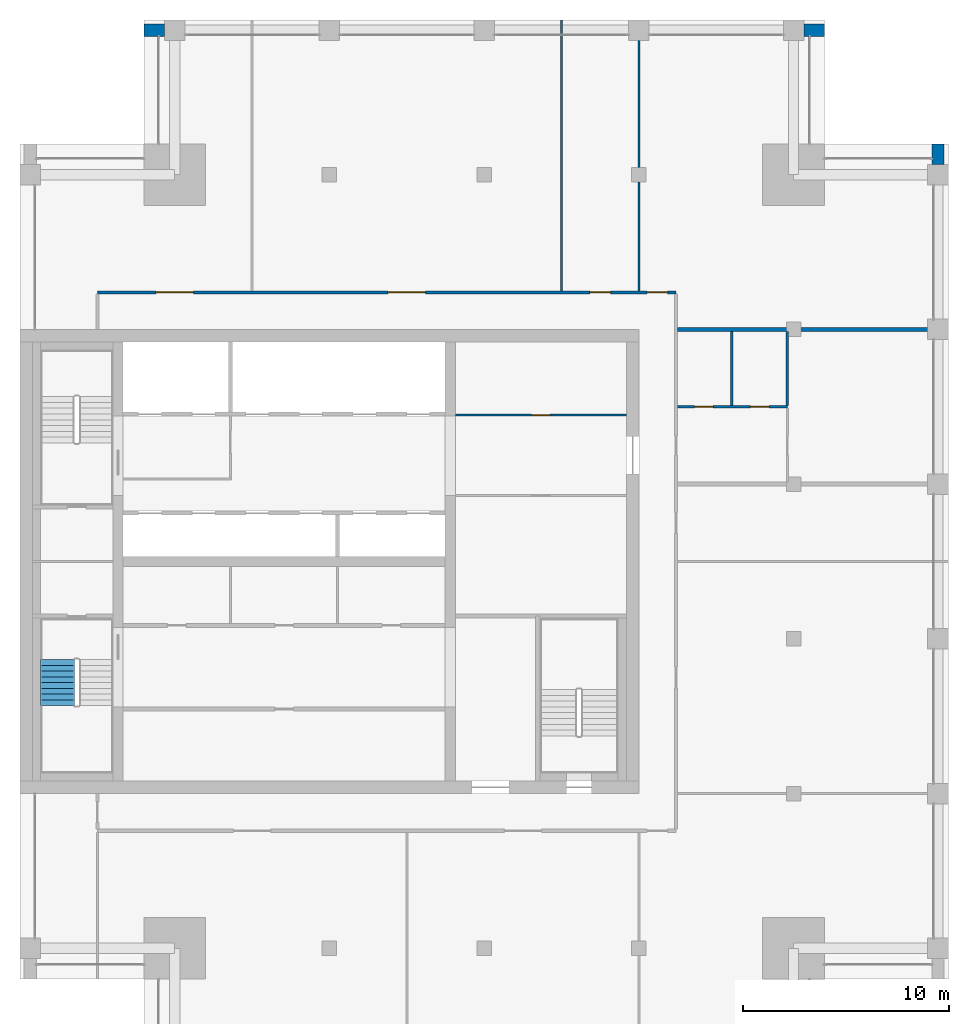
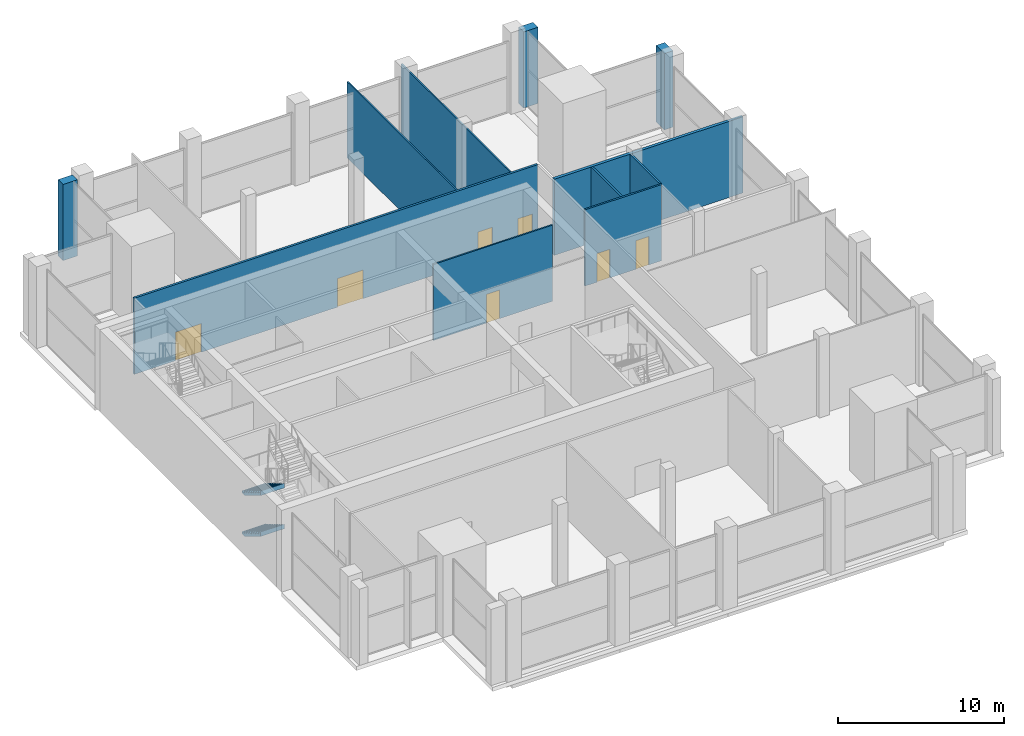
# One storey, part 10 of 15: 11 walls, 7 doors, 2 stair flights, 7 openings, 1 element without a shape of its own.
"""IFC4 building model written with IfcOpenShell, lengths in metres."""

from ifc_helpers import new_model, si_unit, direction, frame, frame_2d, origin, place, context, subcontext, project, spatial, polyline, rectangle, outline, extrude, material, layer, layer_set, type_object, element, fill, aggregate, save


model = new_model("IFC4")

# Units and contexts
model_context = context("Model", 3, precision=1e-05, world=origin(), true_north=direction((0.0, 1.0)))
body_context = subcontext(model_context, "Body", "Model", "MODEL_VIEW")
ifc_project = project(units=[si_unit("LENGTHUNIT", "METRE"), si_unit("AREAUNIT", "SQUARE_METRE"), si_unit("VOLUMEUNIT", "CUBIC_METRE"), si_unit("PLANEANGLEUNIT", "RADIAN"), si_unit("MASSUNIT", "GRAM", prefix="KILO")], contexts=[model_context])

# Site, building, storey
site_placement = place(None, origin())
site = spatial("IfcSite", under=ifc_project, at=site_placement, CompositionType="ELEMENT")
building_placement = place(site_placement, origin())
building = spatial("IfcBuilding", under=site, at=building_placement, Name="Tamorin Gate", CompositionType="ELEMENT")
storey_placement = place(building_placement, frame((0.0, 0.0, 308.699951171875)))
storey = spatial("IfcBuildingStorey", under=building, at=storey_placement, Name="L76", CompositionType="ELEMENT", Elevation=308.699951171875)

# Walls
ifc_material_1 = material(Name="Precast concrete C40/50", Category="concrete")
ifc_layer_1 = layer(ifc_material_1, 0.60009765625)
ifc_layer_set_1 = layer_set([ifc_layer_1], Name="Precast concrete C40/50")
wall_type_1 = type_object("IfcWallType", Name="Board-marked concrete facade panel 600", PredefinedType="SOLIDWALL", material=ifc_layer_set_1)
for number, where, z_axis, x_axis, name in (
    (1, (74.5, 90.5, 0.0), (0.0, 0.0, 1.0), (0.0, 1.0, 0.0), "Facade panel"),
    (2, (69.0, 97.0, 0.0), (0.0, 0.0, 1.0), (-1.0, 0.0, 0.0), "Facade panel"),
    (3, (37.0, 97.0, 0.0), (0.0, 0.0, 1.0), (-1.0, 0.0, 0.0), "Facade panel"),
):
    element("IfcWall", number, at=place(storey_placement, frame(where, z_axis=z_axis, x_axis=x_axis)), inside=storey, type_object=wall_type_1, Name=name, PredefinedType="SOLIDWALL", context=body_context, shape_type="SweptSolid", body=[
        extrude(rectangle(XDim=1.0, YDim=0.60009765625, at=frame_2d((0.5, 0.0))), origin(), (0.0, 0.0, 1.0), 5.60009765625),
    ])

# Wall, openings, doors
ifc_material_2 = material(Name="Gypsum board partition")
ifc_layer_2 = layer(ifc_material_2, 0.14990234375)
ifc_layer_set_2 = layer_set([ifc_layer_2], Name="Corridor wall 150")
wall_type_2 = type_object("IfcWallType", Name="Corridor wall 150", PredefinedType="PARTITIONING", material=ifc_layer_set_2)
wall_1_placement = place(storey_placement, frame((33.75, 84.300048828125, 0.0), z_axis=(0.0, 0.0, 1.0), x_axis=(1.0, 0.0, 0.0)))
wall_1 = element("IfcWall", 4, at=wall_1_placement, inside=storey, type_object=wall_type_2, Name="Corridor wall 150", PredefinedType="PARTITIONING", context=body_context, shape_type="SweptSolid", body=[
    extrude(rectangle(XDim=28.050048828125, YDim=0.14990234375, at=frame_2d((14.02490234375, 0.0))), origin(), (0.0, 0.0, 1.0), 5.60009765625),
])
opening_1_placement = place(wall_1_placement, frame((2.85009765625, 0.0, 0.0)))
opening_1 = element("IfcOpeningElement", 5, at=opening_1_placement, cuts=wall_1, Name="Opening DOB2005", PredefinedType="OPENING", context=body_context, shape_type="SweptSolid", body=[
    extrude(rectangle(XDim=1.800048828125, YDim=2.10009765625, at=frame_2d((0.89990234375, 1.050048828125))), frame((0.0, 0.0849609375, 0.0), z_axis=(0.0, -1.0, 0.0), x_axis=(1.0, 0.0, 0.0)), (0.0, 0.0, 1.0), 0.169921875),
])
opening_2_placement = place(wall_1_placement, frame((14.10009765625, 0.0, 0.0)))
opening_2 = element("IfcOpeningElement", 6, at=opening_2_placement, cuts=wall_1, Name="Opening DOB2006", PredefinedType="OPENING", context=body_context, shape_type="SweptSolid", body=[
    extrude(rectangle(XDim=1.800048828125, YDim=2.10009765625, at=frame_2d((0.89990234375, 1.050048828125))), frame((0.0, 0.0849609375, 0.0), z_axis=(0.0, -1.0, 0.0), x_axis=(1.0, 0.0, 0.0)), (0.0, 0.0, 1.0), 0.169921875),
])
opening_3_placement = place(wall_1_placement, frame((23.875, 0.0, 0.0)))
opening_3 = element("IfcOpeningElement", 7, at=opening_3_placement, cuts=wall_1, Name="Opening DOB2007", PredefinedType="OPENING", context=body_context, shape_type="SweptSolid", body=[
    extrude(rectangle(XDim=1.0, YDim=2.10009765625, at=frame_2d((0.5, 1.050048828125))), frame((0.0, 0.0849609375, 0.0), z_axis=(0.0, -1.0, 0.0), x_axis=(1.0, 0.0, 0.0)), (0.0, 0.0, 1.0), 0.169921875),
])
opening_4_placement = place(wall_1_placement, frame((26.64990234375, 0.0, 0.0)))
opening_4 = element("IfcOpeningElement", 8, at=opening_4_placement, cuts=wall_1, Name="Opening DOB2008", PredefinedType="OPENING", context=body_context, shape_type="SweptSolid", body=[
    extrude(rectangle(XDim=1.0, YDim=2.10009765625, at=frame_2d((0.5, 1.050048828125))), frame((0.0, 0.0849609375, 0.0), z_axis=(0.0, -1.0, 0.0), x_axis=(1.0, 0.0, 0.0)), (0.0, 0.0, 1.0), 0.169921875),
])
ifc_material_3 = material(Name="Timber door leaf", Category="wood")
door_type_1 = type_object("IfcDoorType", Name="Door 1000 x 2100 FD30S", OperationType="NOTDEFINED", PredefinedType="DOOR", material=ifc_material_3)
door_1_placement = place(opening_3_placement, origin())
door_1 = element("IfcDoor", 9, at=door_1_placement, inside=storey, type_object=door_type_1, Name="Door DOB2007", OperationType="SINGLE_SWING_LEFT", OverallHeight=2.10009765625, OverallWidth=1.0, PredefinedType="DOOR", context=body_context, shape_type="SweptSolid", body=[
    extrude(rectangle(XDim=1.0, YDim=2.10009765625, at=frame_2d((0.5, 1.050048828125))), frame((0.0, 0.02490234375, 0.0), z_axis=(0.0, -1.0, 0.0), x_axis=(1.0, 0.0, 0.0)), (0.0, 0.0, 1.0), 0.050048828125),
])
fill(opening_3, door_1)
door_2_placement = place(opening_4_placement, origin())
door_2 = element("IfcDoor", 10, at=door_2_placement, inside=storey, type_object=door_type_1, Name="Door DOB2008", OperationType="SINGLE_SWING_LEFT", OverallHeight=2.10009765625, OverallWidth=1.0, PredefinedType="DOOR", context=body_context, shape_type="SweptSolid", body=[
    extrude(rectangle(XDim=1.0, YDim=2.10009765625, at=frame_2d((0.5, 1.050048828125))), frame((0.0, 0.02490234375, 0.0), z_axis=(0.0, -1.0, 0.0), x_axis=(1.0, 0.0, 0.0)), (0.0, 0.0, 1.0), 0.050048828125),
])
fill(opening_4, door_2)
door_type_2 = type_object("IfcDoorType", Name="Door 1800 x 2100 FD30S", OperationType="DOUBLE_DOOR_SINGLE_SWING", PredefinedType="DOOR", material=ifc_material_3)
door_3_placement = place(opening_1_placement, origin())
door_3 = element("IfcDoor", 11, at=door_3_placement, inside=storey, type_object=door_type_2, Name="Door DOB2005", OperationType="DOUBLE_DOOR_SINGLE_SWING", OverallHeight=2.10009765625, OverallWidth=1.800048828125, PredefinedType="DOOR", context=body_context, shape_type="SweptSolid", body=[
    extrude(rectangle(XDim=1.800048828125, YDim=2.10009765625, at=frame_2d((0.89990234375, 1.050048828125))), frame((0.0, 0.02490234375, 0.0), z_axis=(0.0, -1.0, 0.0), x_axis=(1.0, 0.0, 0.0)), (0.0, 0.0, 1.0), 0.050048828125),
])
fill(opening_1, door_3)
door_4_placement = place(opening_2_placement, origin())
door_4 = element("IfcDoor", 12, at=door_4_placement, inside=storey, type_object=door_type_2, Name="Door DOB2006", OperationType="DOUBLE_DOOR_SINGLE_SWING", OverallHeight=2.10009765625, OverallWidth=1.800048828125, PredefinedType="DOOR", context=body_context, shape_type="SweptSolid", body=[
    extrude(rectangle(XDim=1.800048828125, YDim=2.10009765625, at=frame_2d((0.89990234375, 1.050048828125))), frame((0.0, 0.02490234375, 0.0), z_axis=(0.0, -1.0, 0.0), x_axis=(1.0, 0.0, 0.0)), (0.0, 0.0, 1.0), 0.050048828125),
])
fill(opening_2, door_4)

# Walls
ifc_layer_3 = layer(ifc_material_2, 0.199951171875)
ifc_layer_set_3 = layer_set([ifc_layer_3], Name="Demising wall 200")
wall_type_3 = type_object("IfcWallType", Name="Demising wall 200", PredefinedType="PARTITIONING", material=ifc_layer_set_3)
wall_2_placement = place(storey_placement, frame((61.875, 82.5, 0.0), z_axis=(0.0, 0.0, 1.0), x_axis=(1.0, 0.0, 0.0)))
element("IfcWall", 13, at=wall_2_placement, inside=storey, type_object=wall_type_3, Name="Demising wall 200", PredefinedType="PARTITIONING", context=body_context, shape_type="SweptSolid", body=[
    extrude(rectangle(XDim=13.125, YDim=0.199951171875, at=frame_2d((6.5625, 0.0))), origin(), (0.0, 0.0, 1.0), 5.60009765625),
])
ifc_layer_4 = layer(ifc_material_2, 0.10009765625)
ifc_layer_set_4 = layer_set([ifc_layer_4], Name="Room partition 100")
wall_type_4 = type_object("IfcWallType", Name="Room partition 100", PredefinedType="PARTITIONING", material=ifc_layer_set_4)
for number, where, z_axis, x_axis, name in (
    (14, (56.25, 84.375, 0.0), (0.0, 0.0, 1.0), (0.0, 1.0, 0.0), "Room partition 100"),
    (15, (60.0, 84.375, 0.0), (0.0, 0.0, 1.0), (0.0, 1.0, 0.0), "Room partition 100"),
):
    element("IfcWall", number, at=place(storey_placement, frame(where, z_axis=z_axis, x_axis=x_axis)), inside=storey, type_object=wall_type_4, Name=name, PredefinedType="PARTITIONING", context=body_context, shape_type="SweptSolid", body=[
        extrude(rectangle(XDim=13.125, YDim=0.10009765625, at=frame_2d((6.5625, 0.0))), origin(), (0.0, 0.0, 1.0), 5.60009765625),
    ])

# Wall, opening, door
ifc_layer_5 = layer(ifc_material_2, 0.10009765625)
ifc_layer_set_5 = layer_set([ifc_layer_5], Name="Service room partition 100 EI 60")
wall_type_5 = type_object("IfcWallType", Name="Service room partition 100 EI 60", PredefinedType="PARTITIONING", material=ifc_layer_set_5)
wall_3_placement = place(storey_placement, frame((51.10009765625, 78.35009765625, 0.0), z_axis=(0.0, 0.0, 1.0), x_axis=(1.0, 0.0, 0.0)))
wall_3 = element("IfcWall", 16, at=wall_3_placement, inside=storey, type_object=wall_type_5, Name="Service room wall", PredefinedType="PARTITIONING", context=body_context, shape_type="SweptSolid", body=[
    extrude(rectangle(XDim=8.2998046875, YDim=0.10009765625, at=frame_2d((4.14990234375, 0.0))), origin(), (0.0, 0.0, 1.0), 5.590087890625),
])
opening_5_placement = place(wall_3_placement, frame((3.699951171875, 0.0, 0.0)))
opening_5 = element("IfcOpeningElement", 17, at=opening_5_placement, cuts=wall_3, Name="Opening DK1", PredefinedType="OPENING", context=body_context, shape_type="SweptSolid", body=[
    extrude(rectangle(XDim=0.89990234375, YDim=2.10009765625, at=frame_2d((0.449951171875, 1.050048828125))), frame((0.0, 0.06005859375, 0.0), z_axis=(0.0, -1.0, 0.0), x_axis=(1.0, 0.0, 0.0)), (0.0, 0.0, 1.0), 0.1201171875),
])
ifc_material_4 = material(Name="Timber fire door", Category="wood")
door_type_3 = type_object("IfcDoorType", Name="Service room door 900 x 2100 EI 60", OperationType="SINGLE_SWING_LEFT", PredefinedType="DOOR", material=ifc_material_4)
door_5_placement = place(opening_5_placement, origin())
door_5 = element("IfcDoor", 18, at=door_5_placement, inside=storey, type_object=door_type_3, Name="Door Pantry", OperationType="SINGLE_SWING_RIGHT", OverallHeight=2.10009765625, OverallWidth=0.89990234375, PredefinedType="DOOR", context=body_context, shape_type="SweptSolid", body=[
    extrude(rectangle(XDim=0.89990234375, YDim=2.10009765625, at=frame_2d((0.449951171875, 1.050048828125))), frame((0.0, 0.02490234375, 0.0), z_axis=(0.0, -1.0, 0.0), x_axis=(1.0, 0.0, 0.0)), (0.0, 0.0, 1.0), 0.050048828125),
])
fill(opening_5, door_5)

# Wall, openings, doors
ifc_layer_6 = layer(ifc_material_2, 0.125)
ifc_layer_set_6 = layer_set([ifc_layer_6], Name="Wet wall 125")
wall_type_6 = type_object("IfcWallType", Name="Wet wall 125", PredefinedType="PARTITIONING", material=ifc_layer_set_6)
wall_4_placement = place(storey_placement, frame((61.875, 78.75, 0.0), z_axis=(0.0, 0.0, 1.0), x_axis=(1.0, 0.0, 0.0)))
wall_4 = element("IfcWall", 19, at=wall_4_placement, inside=storey, type_object=wall_type_6, Name="Wet wall 125", PredefinedType="PARTITIONING", context=body_context, shape_type="SweptSolid", body=[
    extrude(rectangle(XDim=5.324951171875, YDim=0.125, at=frame_2d((2.66259765625, 0.0))), origin(), (0.0, 0.0, 1.0), 5.60009765625),
])
opening_6_placement = place(wall_4_placement, frame((3.52490234375, 0.0, 0.0)))
opening_6 = element("IfcOpeningElement", 20, at=opening_6_placement, cuts=wall_4, Name="Opening DOB2013", PredefinedType="OPENING", context=body_context, shape_type="SweptSolid", body=[
    extrude(rectangle(XDim=0.89990234375, YDim=2.10009765625, at=frame_2d((0.449951171875, 1.050048828125))), frame((0.0, 0.072509765625, 0.0), z_axis=(0.0, -1.0, 0.0), x_axis=(1.0, 0.0, 0.0)), (0.0, 0.0, 1.0), 0.14501953125),
])
opening_7_placement = place(wall_4_placement, frame((0.824951171875, 0.0, 0.0)))
opening_7 = element("IfcOpeningElement", 21, at=opening_7_placement, cuts=wall_4, Name="Opening DOB2014", PredefinedType="OPENING", context=body_context, shape_type="SweptSolid", body=[
    extrude(rectangle(XDim=0.89990234375, YDim=2.10009765625, at=frame_2d((0.449951171875, 1.050048828125))), frame((0.0, 0.072509765625, 0.0), z_axis=(0.0, -1.0, 0.0), x_axis=(1.0, 0.0, 0.0)), (0.0, 0.0, 1.0), 0.14501953125),
])
door_type_4 = type_object("IfcDoorType", Name="Door 900 x 2100", OperationType="NOTDEFINED", PredefinedType="DOOR", material=ifc_material_3)
door_6_placement = place(opening_6_placement, origin())
door_6 = element("IfcDoor", 22, at=door_6_placement, inside=storey, type_object=door_type_4, Name="Door DOB2013", OperationType="SINGLE_SWING_LEFT", OverallHeight=2.10009765625, OverallWidth=0.89990234375, PredefinedType="DOOR", context=body_context, shape_type="SweptSolid", body=[
    extrude(rectangle(XDim=0.89990234375, YDim=2.10009765625, at=frame_2d((0.449951171875, 1.050048828125))), frame((0.0, 0.02490234375, 0.0), z_axis=(0.0, -1.0, 0.0), x_axis=(1.0, 0.0, 0.0)), (0.0, 0.0, 1.0), 0.050048828125),
])
fill(opening_6, door_6)
door_7_placement = place(opening_7_placement, origin())
door_7 = element("IfcDoor", 23, at=door_7_placement, inside=storey, type_object=door_type_4, Name="Door DOB2014", OperationType="SINGLE_SWING_LEFT", OverallHeight=2.10009765625, OverallWidth=0.89990234375, PredefinedType="DOOR", context=body_context, shape_type="SweptSolid", body=[
    extrude(rectangle(XDim=0.89990234375, YDim=2.10009765625, at=frame_2d((0.449951171875, 1.050048828125))), frame((0.0, 0.02490234375, 0.0), z_axis=(0.0, -1.0, 0.0), x_axis=(1.0, 0.0, 0.0)), (0.0, 0.0, 1.0), 0.050048828125),
])
fill(opening_7, door_7)

# Walls
for number, where, z_axis, x_axis, name in (
    (24, (64.5, 78.8125, 0.0), (0.0, 0.0, 1.0), (0.0, 1.0, 0.0), "Wet wall 125"),
    (25, (67.199951171875, 78.8125, 0.0), (0.0, 0.0, 1.0), (0.0, 1.0, 0.0), "Wet wall 125"),
):
    element("IfcWall", number, at=place(storey_placement, frame(where, z_axis=z_axis, x_axis=x_axis)), inside=storey, type_object=wall_type_6, Name=name, PredefinedType="PARTITIONING", context=body_context, shape_type="SweptSolid", body=[
        extrude(rectangle(XDim=3.58740234375, YDim=0.125, at=frame_2d((1.793701171875, 0.0))), origin(), (0.0, 0.0, 1.0), 5.60009765625),
    ])

# Stair, stair flights
ifc_material_5 = material(Name="Concrete C40/50", Category="concrete")
stair_type = type_object("IfcStairType", Name="Exit stair", PredefinedType="HALF_TURN_STAIR", material=ifc_material_5)
stair_placement = place(storey_placement, origin())
stair = element("IfcStair", 26, at=stair_placement, inside=storey, type_object=stair_type, Name="L76 stair ST1", PredefinedType="HALF_TURN_STAIR")
stair_flight_type = type_object("IfcStairFlightType", Name="Exit stair flight", PredefinedType="STRAIGHT", material=ifc_material_5)
stair_flight_1_placement = place(storey_placement, frame((31.824951171875, 66.5, 0.0), z_axis=(0.0, 0.0, 1.0), x_axis=(0.0, -1.0, 0.0)))
stair_flight_1 = element("IfcStairFlight", 27, at=stair_flight_1_placement, type_object=stair_flight_type, Name="ST1 flight 1", NumberOfRisers=9, NumberOfTreads=8, PredefinedType="STRAIGHT", RiserHeight=0.166666667, TreadLength=0.28, context=body_context, shape_type="SweptSolid", body=[
    extrude(outline(polyline([(-0.00048828125, 0.0), (-0.00048828125, 0.001708984375), (-0.00048828125, 0.00341796875), (-0.00048828125, 0.0048828125), (-0.00048828125, 0.006591796875), (-0.00048828125, 0.00830078125), (-0.00048828125, 0.010009765625), (-0.00048828125, 0.011474609375), (-0.00048828125, 0.01318359375), (-0.00048828125, 0.014892578125), (-0.00048828125, 0.0166015625), (-0.00048828125, 0.01806640625), (-0.00048828125, 0.019775390625), (-0.00048828125, 0.021484375), (-0.00048828125, 0.023193359375), (-0.00048828125, 0.024658203125), (-0.00048828125, 0.0263671875), (-0.00048828125, 0.028076171875), (-0.00048828125, 0.02978515625), (-0.00048828125, 0.03125), (-0.00048828125, 0.032958984375), (-0.00048828125, 0.03466796875), (-0.00048828125, 0.036376953125), (-0.00048828125, 0.037841796875), (-0.00048828125, 0.03955078125), (-0.00048828125, 0.041259765625), (-0.00048828125, 0.04296875), (-0.00048828125, 0.04443359375), (-0.00048828125, 0.046142578125), (-0.00048828125, 0.0478515625), (-0.00048828125, 0.049560546875), (-0.00048828125, 0.05126953125), (-0.00048828125, 0.052734375), (-0.00048828125, 0.054443359375), (-0.00048828125, 0.05615234375), (-0.00048828125, 0.057861328125), (-0.00048828125, 0.059326171875), (-0.00048828125, 0.06103515625), (-0.00048828125, 0.062744140625), (-0.00048828125, 0.064453125), (-0.00048828125, 0.06591796875), (-0.00048828125, 0.067626953125), (-0.00048828125, 0.0693359375), (-0.00048828125, 0.071044921875), (-0.00048828125, 0.072509765625), (-0.00048828125, 0.07421875), (-0.00048828125, 0.075927734375), (-0.00048828125, 0.07763671875), (-0.00048828125, 0.0791015625), (-0.00048828125, 0.080810546875), (-0.00048828125, 0.08251953125), (-0.00048828125, 0.084228515625), (-0.00048828125, 0.085693359375), (-0.00048828125, 0.08740234375), (-0.00048828125, 0.089111328125), (-0.00048828125, 0.0908203125), (-0.00048828125, 0.092529296875), (-0.00048828125, 0.093994140625), (-0.00048828125, 0.095703125), (-0.00048828125, 0.097412109375), (-0.00048828125, 0.09912109375), (-0.00048828125, 0.1005859375), (-0.00048828125, 0.102294921875), (-0.00048828125, 0.10400390625), (-0.00048828125, 0.105712890625), (-0.00048828125, 0.107177734375), (-0.00048828125, 0.10888671875), (-0.00048828125, 0.110595703125), (-0.00048828125, 0.1123046875), (-0.00048828125, 0.11376953125), (-0.00048828125, 0.115478515625), (-0.00048828125, 0.1171875), (-0.00048828125, 0.118896484375), (-0.00048828125, 0.120361328125), (-0.00048828125, 0.1220703125), (-0.00048828125, 0.123779296875), (-0.00048828125, 0.12548828125), (-0.00048828125, 0.126953125), (-0.00048828125, 0.128662109375), (-0.00048828125, 0.13037109375), (-0.00048828125, 0.132080078125), (-0.00048828125, 0.133544921875), (-0.00048828125, 0.13525390625), (-0.00048828125, 0.136962890625), (-0.00048828125, 0.138671875), (-0.00048828125, 0.140380859375), (-0.00048828125, 0.141845703125), (-0.00048828125, 0.1435546875), (-0.00048828125, 0.145263671875), (-0.00048828125, 0.14697265625), (-0.00048828125, 0.1484375), (-0.00048828125, 0.150146484375), (-0.00048828125, 0.15185546875), (-0.00048828125, 0.153564453125), (-0.00048828125, 0.155029296875), (-0.00048828125, 0.15673828125), (-0.00048828125, 0.158447265625), (-0.00048828125, 0.16015625), (-0.00048828125, 0.16162109375), (-0.00048828125, 0.163330078125), (-0.00048828125, 0.1650390625), (-0.00048828125, 0.166748046875), (0.280029296875, 0.166748046875), (0.280029296875, 0.333251953125), (0.56005859375, 0.333251953125), (0.56005859375, 0.5), (0.840087890625, 0.5), (0.840087890625, 0.666748046875), (1.1201171875, 0.666748046875), (1.1201171875, 0.833251953125), (1.39990234375, 0.833251953125), (1.39990234375, 1.0), (1.679931640625, 1.0), (1.679931640625, 1.166748046875), (1.9599609375, 1.166748046875), (1.9599609375, 1.333251953125), (2.239990234375, 1.333251953125), (2.239990234375, 1.5), (2.240478515625, 1.5), (2.240478515625, 1.49658203125), (2.240478515625, 1.4931640625), (2.240478515625, 1.48974609375), (2.240478515625, 1.486572265625), (2.240478515625, 1.483154296875), (2.240478515625, 1.479736328125), (2.240478515625, 1.476318359375), (2.240478515625, 1.472900390625), (2.240478515625, 1.469482421875), (2.240478515625, 1.46630859375), (2.240478515625, 1.462890625), (2.240478515625, 1.45947265625), (2.240478515625, 1.4560546875), (2.240478515625, 1.45263671875), (2.240478515625, 1.44921875), (2.240478515625, 1.446044921875), (2.240478515625, 1.442626953125), (2.240478515625, 1.439208984375), (2.240478515625, 1.435791015625), (2.240478515625, 1.432373046875), (2.240478515625, 1.428955078125), (2.240478515625, 1.42578125), (2.240478515625, 1.42236328125), (2.240478515625, 1.4189453125), (2.240478515625, 1.41552734375), (2.240478515625, 1.412109375), (2.240478515625, 1.40869140625), (2.240478515625, 1.405517578125), (2.240478515625, 1.402099609375), (2.240478515625, 1.398681640625), (2.240478515625, 1.395263671875), (2.240478515625, 1.391845703125), (2.240478515625, 1.388427734375), (2.240478515625, 1.38525390625), (2.240478515625, 1.3818359375), (2.240478515625, 1.37841796875), (2.240478515625, 1.375), (2.240478515625, 1.37158203125), (2.240478515625, 1.3681640625), (2.240478515625, 1.364990234375), (2.240478515625, 1.361572265625), (2.240478515625, 1.358154296875), (2.240478515625, 1.354736328125), (2.240478515625, 1.351318359375), (2.240478515625, 1.347900390625), (2.240478515625, 1.3447265625), (2.240478515625, 1.34130859375), (2.240478515625, 1.337890625), (2.240478515625, 1.33447265625), (2.240478515625, 1.3310546875), (2.240478515625, 1.32763671875), (2.240478515625, 1.324462890625), (2.240478515625, 1.321044921875), (2.240478515625, 1.317626953125), (2.240478515625, 1.314208984375), (2.240478515625, 1.310791015625), (2.240478515625, 1.307373046875), (2.240478515625, 1.30419921875), (2.240478515625, 1.30078125), (2.240478515625, 1.29736328125), (2.240478515625, 1.2939453125), (2.240478515625, 1.29052734375), (2.240478515625, 1.287109375), (2.240478515625, 1.283935546875), (2.240478515625, 1.280517578125), (2.240478515625, 1.277099609375), (2.240478515625, 1.273681640625), (2.240478515625, 1.270263671875), (2.240478515625, 1.266845703125), (2.240478515625, 1.263671875), (2.240478515625, 1.26025390625), (2.240478515625, 1.2568359375), (2.240478515625, 1.25341796875), (2.240478515625, 1.25), (2.240478515625, 1.24658203125), (2.240478515625, 1.243408203125), (2.240478515625, 1.239990234375), (2.240478515625, 1.236572265625), (2.240478515625, 1.233154296875), (2.240478515625, 1.229736328125), (2.240478515625, 1.226318359375), (2.240478515625, 1.22314453125), (2.240478515625, 1.2197265625), (2.240478515625, 1.21630859375), (2.240478515625, 1.212890625), (2.240478515625, 1.20947265625), (2.240478515625, 1.2060546875), (2.240478515625, 1.202880859375), (2.240478515625, 1.199462890625), (2.240478515625, 1.196044921875), (2.240478515625, 1.192626953125), (2.240478515625, 1.189208984375), (2.240478515625, 1.185791015625), (2.240478515625, 1.1826171875), (2.240478515625, 1.17919921875), (2.240478515625, 1.17578125), (2.240478515625, 1.17236328125), (2.240478515625, 1.1689453125), (2.240478515625, 1.16552734375), (2.240478515625, 1.162353515625), (2.240478515625, 1.158935546875), (2.239990234375, 1.158935546875), (0.29296875, 0.0), (-0.00048828125, 0.0)])), frame((0.0, 0.824951171875, 0.0), z_axis=(0.0, -1.0, 0.0), x_axis=(1.0, 0.0, 0.0)), (0.0, 0.0, 1.0), 1.64990234375),
])
stair_flight_2_placement = place(storey_placement, frame((31.824951171875, 66.5, 3.0), z_axis=(0.0, 0.0, 1.0), x_axis=(0.0, -1.0, 0.0)))
stair_flight_2 = element("IfcStairFlight", 28, at=stair_flight_2_placement, type_object=stair_flight_type, Name="ST1 flight 3", NumberOfRisers=9, NumberOfTreads=8, PredefinedType="STRAIGHT", RiserHeight=0.166666667, TreadLength=0.28, context=body_context, shape_type="SweptSolid", body=[
    extrude(outline(polyline([(-0.00048828125, 0.0), (-0.00048828125, 0.001708984375), (-0.00048828125, 0.00341796875), (-0.00048828125, 0.0048828125), (-0.00048828125, 0.006591796875), (-0.00048828125, 0.00830078125), (-0.00048828125, 0.010009765625), (-0.00048828125, 0.011474609375), (-0.00048828125, 0.01318359375), (-0.00048828125, 0.014892578125), (-0.00048828125, 0.0166015625), (-0.00048828125, 0.01806640625), (-0.00048828125, 0.019775390625), (-0.00048828125, 0.021484375), (-0.00048828125, 0.023193359375), (-0.00048828125, 0.024658203125), (-0.00048828125, 0.0263671875), (-0.00048828125, 0.028076171875), (-0.00048828125, 0.02978515625), (-0.00048828125, 0.03125), (-0.00048828125, 0.032958984375), (-0.00048828125, 0.03466796875), (-0.00048828125, 0.036376953125), (-0.00048828125, 0.037841796875), (-0.00048828125, 0.03955078125), (-0.00048828125, 0.041259765625), (-0.00048828125, 0.04296875), (-0.00048828125, 0.04443359375), (-0.00048828125, 0.046142578125), (-0.00048828125, 0.0478515625), (-0.00048828125, 0.049560546875), (-0.00048828125, 0.05126953125), (-0.00048828125, 0.052734375), (-0.00048828125, 0.054443359375), (-0.00048828125, 0.05615234375), (-0.00048828125, 0.057861328125), (-0.00048828125, 0.059326171875), (-0.00048828125, 0.06103515625), (-0.00048828125, 0.062744140625), (-0.00048828125, 0.064453125), (-0.00048828125, 0.06591796875), (-0.00048828125, 0.067626953125), (-0.00048828125, 0.0693359375), (-0.00048828125, 0.071044921875), (-0.00048828125, 0.072509765625), (-0.00048828125, 0.07421875), (-0.00048828125, 0.075927734375), (-0.00048828125, 0.07763671875), (-0.00048828125, 0.0791015625), (-0.00048828125, 0.080810546875), (-0.00048828125, 0.08251953125), (-0.00048828125, 0.084228515625), (-0.00048828125, 0.085693359375), (-0.00048828125, 0.08740234375), (-0.00048828125, 0.089111328125), (-0.00048828125, 0.0908203125), (-0.00048828125, 0.092529296875), (-0.00048828125, 0.093994140625), (-0.00048828125, 0.095703125), (-0.00048828125, 0.097412109375), (-0.00048828125, 0.09912109375), (-0.00048828125, 0.1005859375), (-0.00048828125, 0.102294921875), (-0.00048828125, 0.10400390625), (-0.00048828125, 0.105712890625), (-0.00048828125, 0.107177734375), (-0.00048828125, 0.10888671875), (-0.00048828125, 0.110595703125), (-0.00048828125, 0.1123046875), (-0.00048828125, 0.11376953125), (-0.00048828125, 0.115478515625), (-0.00048828125, 0.1171875), (-0.00048828125, 0.118896484375), (-0.00048828125, 0.120361328125), (-0.00048828125, 0.1220703125), (-0.00048828125, 0.123779296875), (-0.00048828125, 0.12548828125), (-0.00048828125, 0.126953125), (-0.00048828125, 0.128662109375), (-0.00048828125, 0.13037109375), (-0.00048828125, 0.132080078125), (-0.00048828125, 0.133544921875), (-0.00048828125, 0.13525390625), (-0.00048828125, 0.136962890625), (-0.00048828125, 0.138671875), (-0.00048828125, 0.140380859375), (-0.00048828125, 0.141845703125), (-0.00048828125, 0.1435546875), (-0.00048828125, 0.145263671875), (-0.00048828125, 0.14697265625), (-0.00048828125, 0.1484375), (-0.00048828125, 0.150146484375), (-0.00048828125, 0.15185546875), (-0.00048828125, 0.153564453125), (-0.00048828125, 0.155029296875), (-0.00048828125, 0.15673828125), (-0.00048828125, 0.158447265625), (-0.00048828125, 0.16015625), (-0.00048828125, 0.16162109375), (-0.00048828125, 0.163330078125), (-0.00048828125, 0.1650390625), (-0.00048828125, 0.166748046875), (0.280029296875, 0.166748046875), (0.280029296875, 0.333251953125), (0.56005859375, 0.333251953125), (0.56005859375, 0.5), (0.840087890625, 0.5), (0.840087890625, 0.666748046875), (1.1201171875, 0.666748046875), (1.1201171875, 0.833251953125), (1.39990234375, 0.833251953125), (1.39990234375, 1.0), (1.679931640625, 1.0), (1.679931640625, 1.166748046875), (1.9599609375, 1.166748046875), (1.9599609375, 1.333251953125), (2.239990234375, 1.333251953125), (2.239990234375, 1.5), (2.240478515625, 1.5), (2.240478515625, 1.49658203125), (2.240478515625, 1.4931640625), (2.240478515625, 1.48974609375), (2.240478515625, 1.486572265625), (2.240478515625, 1.483154296875), (2.240478515625, 1.479736328125), (2.240478515625, 1.476318359375), (2.240478515625, 1.472900390625), (2.240478515625, 1.469482421875), (2.240478515625, 1.46630859375), (2.240478515625, 1.462890625), (2.240478515625, 1.45947265625), (2.240478515625, 1.4560546875), (2.240478515625, 1.45263671875), (2.240478515625, 1.44921875), (2.240478515625, 1.446044921875), (2.240478515625, 1.442626953125), (2.240478515625, 1.439208984375), (2.240478515625, 1.435791015625), (2.240478515625, 1.432373046875), (2.240478515625, 1.428955078125), (2.240478515625, 1.42578125), (2.240478515625, 1.42236328125), (2.240478515625, 1.4189453125), (2.240478515625, 1.41552734375), (2.240478515625, 1.412109375), (2.240478515625, 1.40869140625), (2.240478515625, 1.405517578125), (2.240478515625, 1.402099609375), (2.240478515625, 1.398681640625), (2.240478515625, 1.395263671875), (2.240478515625, 1.391845703125), (2.240478515625, 1.388427734375), (2.240478515625, 1.38525390625), (2.240478515625, 1.3818359375), (2.240478515625, 1.37841796875), (2.240478515625, 1.375), (2.240478515625, 1.37158203125), (2.240478515625, 1.3681640625), (2.240478515625, 1.364990234375), (2.240478515625, 1.361572265625), (2.240478515625, 1.358154296875), (2.240478515625, 1.354736328125), (2.240478515625, 1.351318359375), (2.240478515625, 1.347900390625), (2.240478515625, 1.3447265625), (2.240478515625, 1.34130859375), (2.240478515625, 1.337890625), (2.240478515625, 1.33447265625), (2.240478515625, 1.3310546875), (2.240478515625, 1.32763671875), (2.240478515625, 1.324462890625), (2.240478515625, 1.321044921875), (2.240478515625, 1.317626953125), (2.240478515625, 1.314208984375), (2.240478515625, 1.310791015625), (2.240478515625, 1.307373046875), (2.240478515625, 1.30419921875), (2.240478515625, 1.30078125), (2.240478515625, 1.29736328125), (2.240478515625, 1.2939453125), (2.240478515625, 1.29052734375), (2.240478515625, 1.287109375), (2.240478515625, 1.283935546875), (2.240478515625, 1.280517578125), (2.240478515625, 1.277099609375), (2.240478515625, 1.273681640625), (2.240478515625, 1.270263671875), (2.240478515625, 1.266845703125), (2.240478515625, 1.263671875), (2.240478515625, 1.26025390625), (2.240478515625, 1.2568359375), (2.240478515625, 1.25341796875), (2.240478515625, 1.25), (2.240478515625, 1.24658203125), (2.240478515625, 1.243408203125), (2.240478515625, 1.239990234375), (2.240478515625, 1.236572265625), (2.240478515625, 1.233154296875), (2.240478515625, 1.229736328125), (2.240478515625, 1.226318359375), (2.240478515625, 1.22314453125), (2.240478515625, 1.2197265625), (2.240478515625, 1.21630859375), (2.240478515625, 1.212890625), (2.240478515625, 1.20947265625), (2.240478515625, 1.2060546875), (2.240478515625, 1.202880859375), (2.240478515625, 1.199462890625), (2.240478515625, 1.196044921875), (2.240478515625, 1.192626953125), (2.240478515625, 1.189208984375), (2.240478515625, 1.185791015625), (2.240478515625, 1.1826171875), (2.240478515625, 1.17919921875), (2.240478515625, 1.17578125), (2.240478515625, 1.17236328125), (2.240478515625, 1.1689453125), (2.240478515625, 1.16552734375), (2.240478515625, 1.162353515625), (2.240478515625, 1.158935546875), (2.239990234375, 1.158935546875), (0.29296875, 0.0), (-0.00048828125, 0.0)])), frame((0.0, 0.824951171875, 0.0), z_axis=(0.0, -1.0, 0.0), x_axis=(1.0, 0.0, 0.0)), (0.0, 0.0, 1.0), 1.64990234375),
])
aggregate(stair, [stair_flight_1, stair_flight_2])

save(model, "model.ifc")
